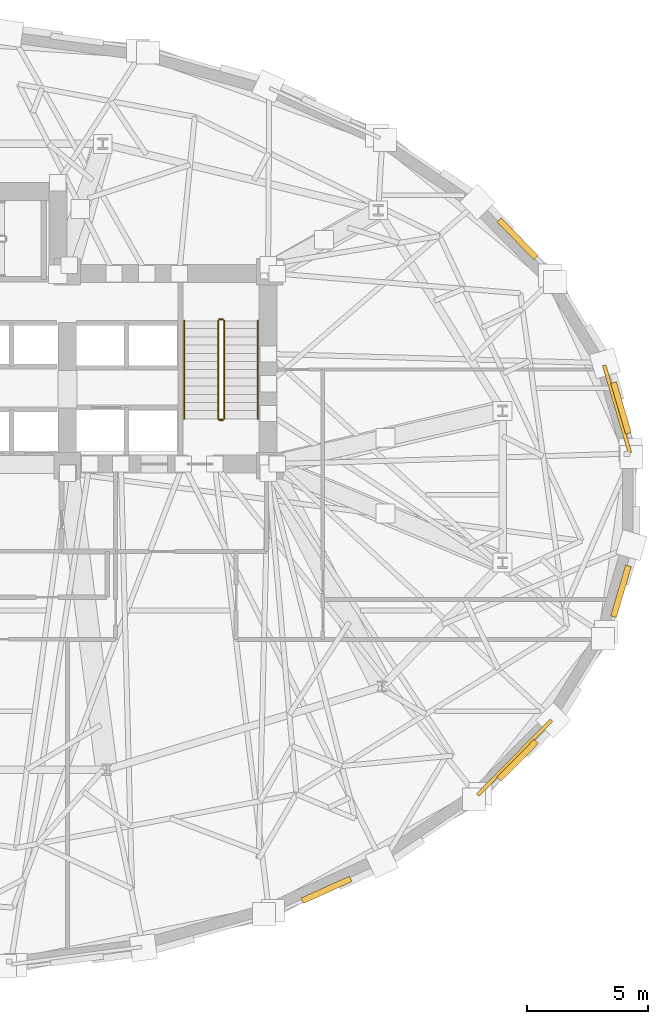
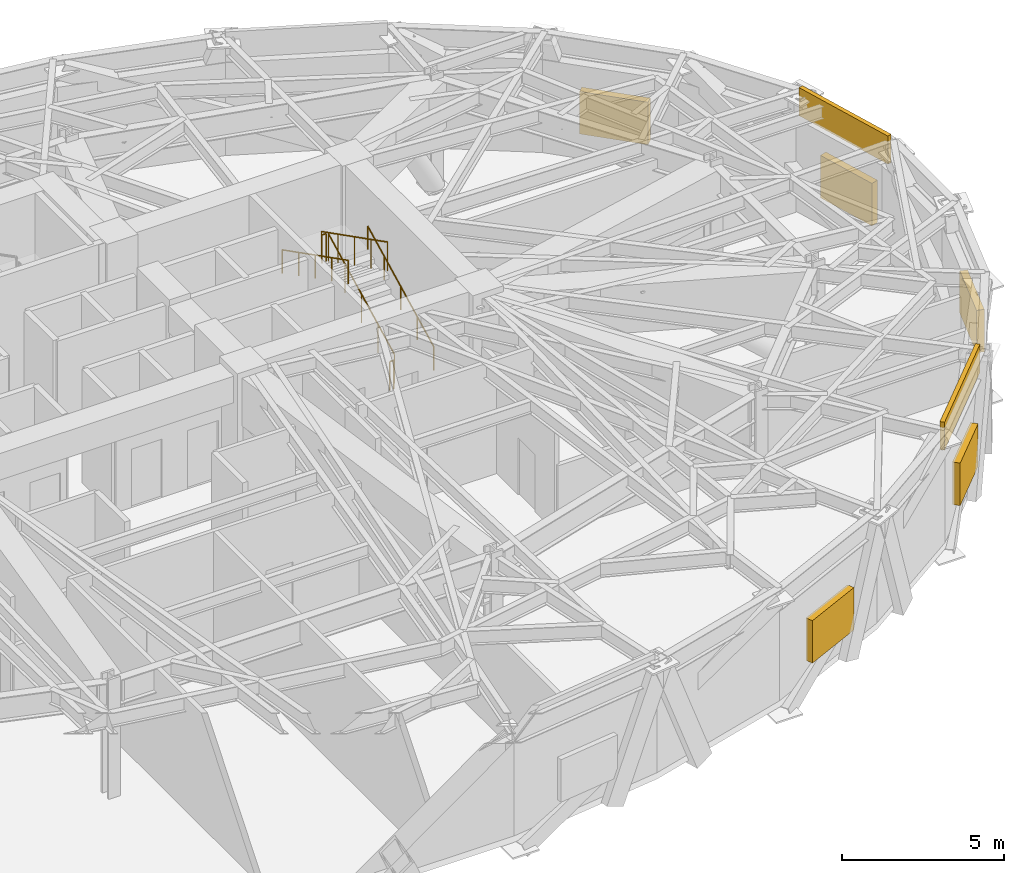
# One storey, part 13 of 14: 6 railings, 5 shading devices, 2 coverings.
"""IFC4 building model written with IfcOpenShell, lengths in metres."""

from ifc_helpers import new_model, si_unit, direction, frame, origin, origin_2d, place, context, subcontext, project, spatial, rectangle, circle, extrude, material, layer, layer_set, type_object, element, save


model = new_model("IFC4")

# Units and contexts
model_context = context("Model", 3, precision=1e-05, world=origin(), true_north=direction((0.0, 1.0)))
body_context = subcontext(model_context, "Body", "Model", "MODEL_VIEW")
ifc_project = project(units=[si_unit("LENGTHUNIT", "METRE"), si_unit("AREAUNIT", "SQUARE_METRE"), si_unit("VOLUMEUNIT", "CUBIC_METRE"), si_unit("PLANEANGLEUNIT", "RADIAN"), si_unit("MASSUNIT", "GRAM", prefix="KILO")], contexts=[model_context])

# Site, building, storey
site_placement = place(None, origin())
site = spatial("IfcSite", under=ifc_project, at=site_placement, CompositionType="ELEMENT")
building_placement = place(site_placement, origin())
building = spatial("IfcBuilding", under=site, at=building_placement, Name="Keldmark Tower", CompositionType="ELEMENT")
storey_placement = place(building_placement, frame((0.0, 0.0, 77.39990234375)))
storey = spatial("IfcBuildingStorey", under=building, at=storey_placement, Name="L20", CompositionType="ELEMENT", Elevation=77.39990234375)

# Coverings
ifc_material_1 = material(Name="Honed Kasota Buff Dolomitic Limestone", Category="masonry")
ifc_layer = layer(ifc_material_1, 0.074951171875)
ifc_layer_set = layer_set([ifc_layer], Name="Honed Kasota Buff Dolomitic Limestone")
covering_type = type_object("IfcCoveringType", Name="Kasota Buff Limestone Spandrel Cladding Band", PredefinedType="CLADDING", material=ifc_layer_set)
covering_1_placement = place(storey_placement, frame((28.0048828125, 3.7548828125, 3.422119140625), z_axis=(0.0, 0.0, 1.0), x_axis=(-0.281855868263, 0.959456757507, 0.0)))
element("IfcCovering", 1, at=covering_1_placement, inside=storey, type_object=covering_type, Name="L20 Kasota Limestone Spandrel Band 01", PredefinedType="CLADDING", context=body_context, shape_type="SweptSolid", body=[
    extrude(rectangle(XDim=3.78759765625, YDim=0.14990234375, at=origin_2d()), origin(), (0.0, 0.0, 1.0), 1.05810546875),
])
covering_2_placement = place(storey_placement, frame((23.752685546875, -10.704345703125, 3.422119140625), z_axis=(0.0, 0.0, 1.0), x_axis=(0.70240155419, 0.711780904964, 0.0)))
element("IfcCovering", 2, at=covering_2_placement, inside=storey, type_object=covering_type, Name="L20 Kasota Limestone Spandrel Band 29", PredefinedType="CLADDING", context=body_context, shape_type="SweptSolid", body=[
    extrude(rectangle(XDim=4.345458984375, YDim=0.14990234375, at=origin_2d()), origin(), (0.0, 0.0, 1.0), 1.05810546875),
])

# Shading devices
ifc_material_2 = material(Name="Fluoropolymer-Coated Extruded Aluminum Stormproof Blades", Category="aluminium")
shading_device_type = type_object("IfcShadingDeviceType", Name="Mechanical Floor Acoustic Intake Louvre", PredefinedType="JALOUSIE", material=ifc_material_2)
for number, where, z_axis, x_axis, name in (
    (3, (28.168212890625, 3.802978515625, 0.650146484375), (0.0, 0.0, 1.0), (-0.281855868263, 0.959456757507, 0.0), "L20 Acoustic Stormproof Louvre 01"),
    (4, (23.873779296875, 10.823486328125, 0.650146484375), (0.0, 0.0, 1.0), (-0.70240155419, 0.711780904964, 0.0), "L20 Acoustic Stormproof Louvre 03"),
    (5, (15.947998046875, -16.190185546875, 0.650146484375), (0.0, 0.0, 1.0), (0.911094181936, 0.412198243134, 0.0), "L20 Acoustic Stormproof Louvre 27"),
    (6, (23.873779296875, -10.823486328125, 0.650146484375), (0.0, 0.0, 1.0), (0.70240155419, 0.711780904964, 0.0), "L20 Acoustic Stormproof Louvre 29"),
    (7, (28.168212890625, -3.802978515625, 0.650146484375), (0.0, 0.0, 1.0), (0.281855868263, 0.959456757507, 0.0), "L20 Acoustic Stormproof Louvre 31"),
):
    element("IfcShadingDevice", number, at=place(storey_placement, frame(where, z_axis=z_axis, x_axis=x_axis)), inside=storey, type_object=shading_device_type, Name=name, PredefinedType="JALOUSIE", context=body_context, shape_type="SweptSolid", body=[
        extrude(rectangle(XDim=2.199951171875, YDim=0.25, at=origin_2d()), origin(), (0.0, 0.0, 1.0), 1.60009765625),
    ])

# Railings
ifc_material_3 = material(Name="Painted Steel ASTM A500 Grade B", Category="steel")
railing_type_1 = type_object("IfcRailingType", Name="Painted Steel Stair Well Guard 1100 mm", PredefinedType="GUARDRAIL", material=ifc_material_3)
railing_1_placement = place(storey_placement, frame((11.699951171875, 3.35009765625, 0.173095703125)))
element("IfcRailing", 8, at=railing_1_placement, inside=storey, type_object=railing_type_1, Name="L20 ST2 stair guard 1", PredefinedType="GUARDRAIL", context=body_context, shape_type="SweptSolid", body=[
    extrude(circle(Radius=0.02392578125, at=origin_2d()), frame((0.0, 0.0, 1.076171875), z_axis=(0.0, 0.891172131844, 0.453665329759), x_axis=(-1.0, 0.0, 0.0)), (0.0, 0.0, 1.0), 4.578125),
    extrude(circle(Radius=0.02099609375, at=origin_2d()), origin(), (0.0, 0.0, 1.0), 1.052001953125),
    extrude(circle(Radius=0.02099609375, at=origin_2d()), frame((0.0, 1.02001953125, 0.519287109375)), (0.0, 0.0, 1.0), 1.052001953125),
    extrude(circle(Radius=0.02099609375, at=origin_2d()), frame((0.0, 2.0400390625, 1.03857421875)), (0.0, 0.0, 1.0), 1.052001953125),
    extrude(circle(Radius=0.02099609375, at=origin_2d()), frame((0.0, 3.059814453125, 1.5576171875)), (0.0, 0.0, 1.0), 1.052001953125),
    extrude(circle(Radius=0.02099609375, at=origin_2d()), frame((0.0, 4.079833984375, 2.076904296875)), (0.0, 0.0, 1.0), 1.052001953125),
])
railing_2_placement = place(storey_placement, frame((11.64990234375, 7.47998046875, 2.25)))
element("IfcRailing", 9, at=railing_2_placement, inside=storey, type_object=railing_type_1, Name="L20 ST2 stair guard 2", PredefinedType="GUARDRAIL", context=body_context, shape_type="SweptSolid", body=[
    extrude(circle(Radius=0.02392578125, at=origin_2d()), frame((0.0, 0.0, 1.076171875), z_axis=(-1.0, 0.0, 0.0), x_axis=(0.0, -1.0, 0.0)), (0.0, 0.0, 1.0), 0.14990234375),
    extrude(circle(Radius=0.02099609375, at=origin_2d()), origin(), (0.0, 0.0, 1.0), 1.052001953125),
    extrude(circle(Radius=0.02099609375, at=origin_2d()), frame((-0.14990234375, 0.0, 0.0)), (0.0, 0.0, 1.0), 1.052001953125),
])
railing_3_placement = place(storey_placement, frame((11.449951171875, 7.429931640625, 2.423095703125)))
element("IfcRailing", 10, at=railing_3_placement, inside=storey, type_object=railing_type_1, Name="L20 ST2 stair guard 3", PredefinedType="GUARDRAIL", context=body_context, shape_type="SweptSolid", body=[
    extrude(circle(Radius=0.02392578125, at=origin_2d()), frame((0.0, 0.0, 1.076171875), z_axis=(0.0, -0.891172131844, 0.453665329759), x_axis=(1.0, 0.0, 0.0)), (0.0, 0.0, 1.0), 4.578125),
    extrude(circle(Radius=0.02099609375, at=origin_2d()), origin(), (0.0, 0.0, 1.0), 1.052001953125),
    extrude(circle(Radius=0.02099609375, at=origin_2d()), frame((0.0, -1.02001953125, 0.519287109375)), (0.0, 0.0, 1.0), 1.052001953125),
    extrude(circle(Radius=0.02099609375, at=origin_2d()), frame((0.0, -2.0400390625, 1.03857421875)), (0.0, 0.0, 1.0), 1.052001953125),
    extrude(circle(Radius=0.02099609375, at=origin_2d()), frame((0.0, -3.059814453125, 1.5576171875)), (0.0, 0.0, 1.0), 1.052001953125),
    extrude(circle(Radius=0.02099609375, at=origin_2d()), frame((0.0, -4.079833984375, 2.076904296875)), (0.0, 0.0, 1.0), 1.052001953125),
])
railing_4_placement = place(storey_placement, frame((11.64990234375, 3.300048828125, 0.0)))
element("IfcRailing", 11, at=railing_4_placement, inside=storey, type_object=railing_type_1, Name="L20 ST2 stair guard 4", PredefinedType="GUARDRAIL", context=body_context, shape_type="SweptSolid", body=[
    extrude(circle(Radius=0.02392578125, at=origin_2d()), frame((0.0, 0.0, 1.076171875), z_axis=(-1.0, 0.0, 0.0), x_axis=(0.0, -1.0, 0.0)), (0.0, 0.0, 1.0), 0.14990234375),
    extrude(circle(Radius=0.02099609375, at=origin_2d()), origin(), (0.0, 0.0, 1.0), 1.052001953125),
    extrude(circle(Radius=0.02099609375, at=origin_2d()), frame((-0.14990234375, 0.0, 0.0)), (0.0, 0.0, 1.0), 1.052001953125),
])
ifc_material_4 = material(Name="Stainless Steel AISI 316L", Category="steel")
railing_type_2 = type_object("IfcRailingType", Name="Stainless Steel Stair Handrail 900 mm", PredefinedType="HANDRAIL", material=ifc_material_4)
railing_5_placement = place(storey_placement, frame((13.10009765625, 3.35009765625, 0.173095703125)))
element("IfcRailing", 12, at=railing_5_placement, inside=storey, type_object=railing_type_2, Name="L20 ST2 stair handrail 1", PredefinedType="HANDRAIL", context=body_context, shape_type="SweptSolid", body=[
    extrude(circle(Radius=0.02392578125, at=origin_2d()), frame((0.0, 0.0, 0.8759765625), z_axis=(0.0, 0.891172131844, 0.453665329759), x_axis=(-1.0, 0.0, 0.0)), (0.0, 0.0, 1.0), 4.578125),
    extrude(circle(Radius=0.02099609375, at=origin_2d()), origin(), (0.0, 0.0, 1.0), 0.851806640625),
    extrude(circle(Radius=0.02099609375, at=origin_2d()), frame((0.0, 1.02001953125, 0.519287109375)), (0.0, 0.0, 1.0), 0.851806640625),
    extrude(circle(Radius=0.02099609375, at=origin_2d()), frame((0.0, 2.0400390625, 1.03857421875)), (0.0, 0.0, 1.0), 0.851806640625),
    extrude(circle(Radius=0.02099609375, at=origin_2d()), frame((0.0, 3.059814453125, 1.5576171875)), (0.0, 0.0, 1.0), 0.851806640625),
    extrude(circle(Radius=0.02099609375, at=origin_2d()), frame((0.0, 4.079833984375, 2.076904296875)), (0.0, 0.0, 1.0), 0.851806640625),
])
railing_6_placement = place(storey_placement, frame((10.050048828125, 7.429931640625, 2.423095703125)))
element("IfcRailing", 13, at=railing_6_placement, inside=storey, type_object=railing_type_2, Name="L20 ST2 stair handrail 2", PredefinedType="HANDRAIL", context=body_context, shape_type="SweptSolid", body=[
    extrude(circle(Radius=0.02392578125, at=origin_2d()), frame((0.0, 0.0, 0.8759765625), z_axis=(0.0, -0.891172131844, 0.453665329759), x_axis=(1.0, 0.0, 0.0)), (0.0, 0.0, 1.0), 4.578125),
    extrude(circle(Radius=0.02099609375, at=origin_2d()), origin(), (0.0, 0.0, 1.0), 0.851806640625),
    extrude(circle(Radius=0.02099609375, at=origin_2d()), frame((0.0, -1.02001953125, 0.519287109375)), (0.0, 0.0, 1.0), 0.851806640625),
    extrude(circle(Radius=0.02099609375, at=origin_2d()), frame((0.0, -2.0400390625, 1.03857421875)), (0.0, 0.0, 1.0), 0.851806640625),
    extrude(circle(Radius=0.02099609375, at=origin_2d()), frame((0.0, -3.059814453125, 1.5576171875)), (0.0, 0.0, 1.0), 0.851806640625),
    extrude(circle(Radius=0.02099609375, at=origin_2d()), frame((0.0, -4.079833984375, 2.076904296875)), (0.0, 0.0, 1.0), 0.851806640625),
])

save(model, "model.ifc")
